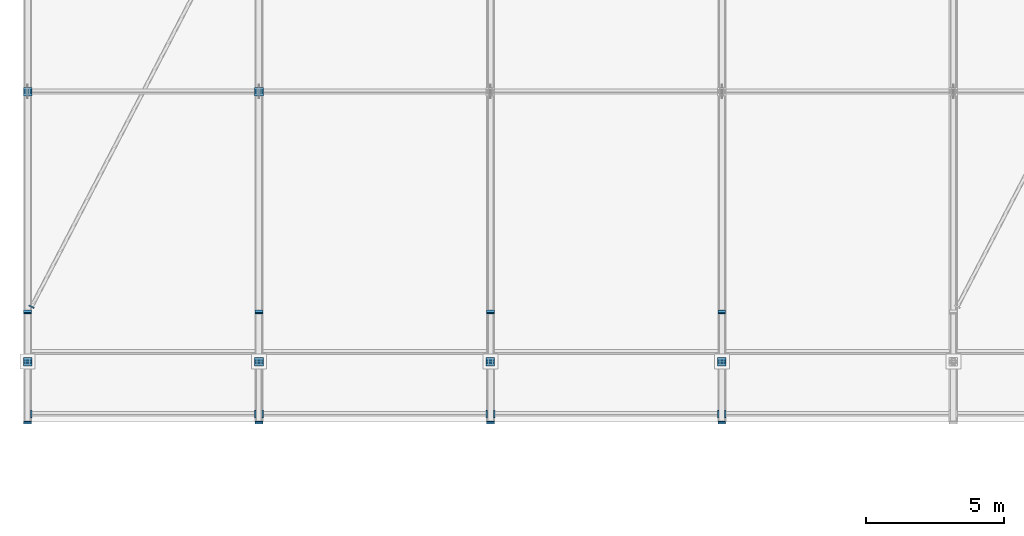
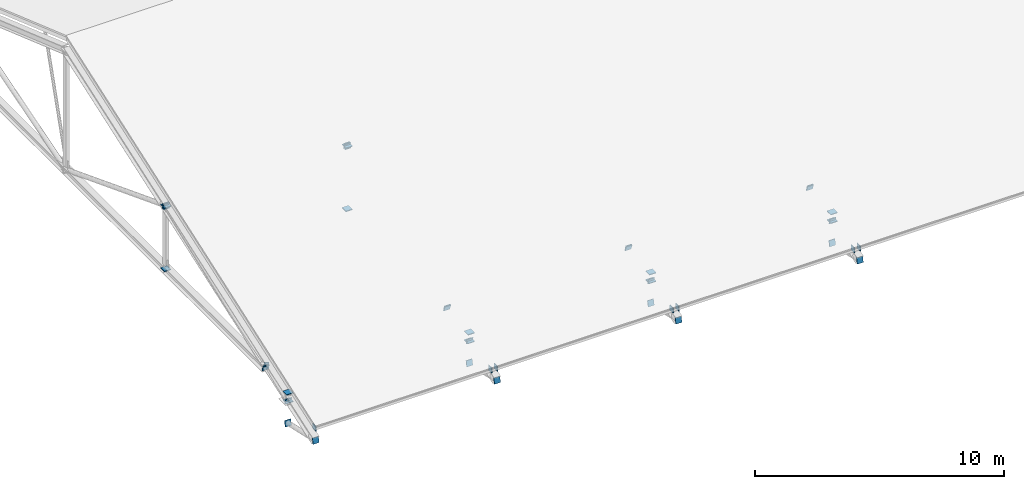
# One storey, part 41 of 57: 44 discrete accessories.
"""IFC4 building model written with IfcOpenShell, lengths in metres."""

from ifc_helpers import new_model, si_unit, direction, frame, origin, origin_2d, place, context, subcontext, project, spatial, rectangle, extrude, material, material_profile, profile_set, type_object, element, save


model = new_model("IFC4")

# Units and contexts
model_context = context("Model", 3, precision=1e-05, world=origin(), true_north=direction((0.0, 1.0)))
body_context = subcontext(model_context, "Body", "Model", "MODEL_VIEW")
ifc_project = project(units=[si_unit("LENGTHUNIT", "METRE"), si_unit("AREAUNIT", "SQUARE_METRE"), si_unit("VOLUMEUNIT", "CUBIC_METRE"), si_unit("PLANEANGLEUNIT", "RADIAN"), si_unit("MASSUNIT", "GRAM", prefix="KILO")], contexts=[model_context])

# Site, building, storey
site_placement = place(None, origin())
site = spatial("IfcSite", under=ifc_project, at=site_placement, CompositionType="ELEMENT")
building_placement = place(site_placement, origin())
building = spatial("IfcBuilding", under=site, at=building_placement, Name="Kelarvand Opera House", CompositionType="ELEMENT")
storey_placement = place(building_placement, frame((0.0, 0.0, 33.60009765625)))
storey = spatial("IfcBuildingStorey", under=building, at=storey_placement, Name="Roof", CompositionType="ELEMENT", Elevation=33.60009765625)

# Discrete accessories
ifc_material = material(Name="Steel S355", Category="steel")
ifc_material_profile_1 = material_profile(ifc_material, rectangle(XDim=0.199951171875, YDim=0.199951171875, at=origin_2d()), Name="Welded Steel Hollow End-Cap Plate 200x200x24", Category="steel")
ifc_profile_set_1 = profile_set([ifc_material_profile_1], Name="Steel S355")
discrete_accessory_type_1 = type_object("IfcDiscreteAccessoryType", Name="Welded Steel Hollow End-Cap Plate 200x200x24", PredefinedType="SHOE", material=ifc_profile_set_1)
discrete_accessory_1_placement = place(storey_placement, frame((9.15380859375, 89.20703125, -13.580078125), z_axis=(-0.4634975267, -0.886098212809, 0.0), x_axis=(0.886098212809, -0.4634975267, 0.0)))
element("IfcDiscreteAccessory", 1, at=discrete_accessory_1_placement, inside=storey, type_object=discrete_accessory_type_1, Name="Hollow Section Welded End Cap 687", PredefinedType="SHOE", context=body_context, shape_type="SweptSolid", body=[
    extrude(rectangle(XDim=0.199951171875, YDim=0.199951171875, at=origin_2d()), origin(), (0.0, 0.0, 1.0), 0.035888671875),
])
ifc_material_profile_2 = material_profile(ifc_material, rectangle(XDim=0.260009765625, YDim=0.260009765625, at=origin_2d()), Name="Welded Steel Hollow End-Cap Plate 260x260x24", Category="steel")
ifc_profile_set_2 = profile_set([ifc_material_profile_2], Name="Steel S355")
discrete_accessory_type_2 = type_object("IfcDiscreteAccessoryType", Name="Welded Steel Hollow End-Cap Plate 260x260x24", PredefinedType="SHOE", material=ifc_profile_set_2)
discrete_accessory_2_placement = place(storey_placement, frame((9.14794921875, 85.300048828125, -14.2998046875), z_axis=(-1.0, 0.0, 0.0), x_axis=(0.0, -1.0, 0.0)))
element("IfcDiscreteAccessory", 2, at=discrete_accessory_2_placement, inside=storey, type_object=discrete_accessory_type_2, Name="Hollow Section Welded End Cap 685", PredefinedType="SHOE", context=body_context, shape_type="SweptSolid", body=[
    extrude(rectangle(XDim=0.260009765625, YDim=0.260009765625, at=origin_2d()), origin(), (0.0, 0.0, 1.0), 0.035888671875),
])
for number, where, z_axis, x_axis, name in (
    (3, (17.251953125, 85.300048828125, -14.2998046875), (1.0, 0.0, 0.0), (0.0, 1.0, 0.0), "Hollow Section Welded End Cap 686"),
    (4, (17.548095703125, 85.300048828125, -14.2998046875), (-1.0, 0.0, 0.0), (0.0, -1.0, 0.0), "Hollow Section Welded End Cap 691"),
):
    element("IfcDiscreteAccessory", number, at=place(storey_placement, frame(where, z_axis=z_axis, x_axis=x_axis)), inside=storey, type_object=discrete_accessory_type_2, Name=name, PredefinedType="SHOE", context=body_context, shape_type="SweptSolid", body=[
        extrude(rectangle(XDim=0.260009765625, YDim=0.260009765625, at=origin_2d()), origin(), (0.0, 0.0, 1.0), 0.0361328125),
    ])
for number, where, z_axis, x_axis, name in (
    (5, (25.652099609375, 85.300048828125, -14.2998046875), (1.0, 0.0, 0.0), (0.0, 1.0, 0.0), "Hollow Section Welded End Cap 692"),
    (6, (25.947998046875, 85.300048828125, -14.2998046875), (-1.0, 0.0, 0.0), (0.0, -1.0, 0.0), "Hollow Section Welded End Cap 693"),
    (7, (34.052001953125, 85.300048828125, -14.2998046875), (1.0, 0.0, 0.0), (0.0, 1.0, 0.0), "Hollow Section Welded End Cap 694"),
    (8, (34.347900390625, 85.300048828125, -14.2998046875), (-1.0, 0.0, 0.0), (0.0, -1.0, 0.0), "Hollow Section Welded End Cap 695"),
):
    element("IfcDiscreteAccessory", number, at=place(storey_placement, frame(where, z_axis=z_axis, x_axis=x_axis)), inside=storey, type_object=discrete_accessory_type_2, Name=name, PredefinedType="SHOE", context=body_context, shape_type="SweptSolid", body=[
        extrude(rectangle(XDim=0.260009765625, YDim=0.260009765625, at=origin_2d()), origin(), (0.0, 0.0, 1.0), 0.035888671875),
    ])
ifc_material_profile_3 = material_profile(ifc_material, rectangle(XDim=0.279052734375, YDim=0.279052734375, at=origin_2d()), Name="Welded Steel Hollow End-Cap Plate 279x279x24", Category="steel")
ifc_profile_set_3 = profile_set([ifc_material_profile_3], Name="Steel S355")
discrete_accessory_type_3 = type_object("IfcDiscreteAccessoryType", Name="Welded Steel Hollow End-Cap Plate 279x279x24", PredefinedType="SHOE", material=ifc_profile_set_3)
for number, where, z_axis, x_axis, name in (
    (9, (9.0, 87.192138671875, -15.1982421875), (0.0, 0.974732318528, -0.223376156329), (-1.0, 0.0, 0.0), "Hollow Section Welded End Cap 541"),
    (10, (9.0, 85.0078125, -14.70458984375), (0.0, -0.976187060184, 0.216930457819), (1.0, 0.0, 0.0), "Hollow Section Welded End Cap 542"),
    (11, (9.0, 87.207763671875, -14.097900390625), (0.0, -0.960754262325, -0.277400878559), (1.0, 0.0, 0.0), "Hollow Section Welded End Cap 543"),
    (12, (9.0, 88.9921875, -13.582275390625), (0.0, 0.960754262325, 0.277400878559), (-1.0, 0.0, 0.0), "Hollow Section Welded End Cap 544"),
    (13, (9.0, 89.007568359375, -13.5771484375), (0.0, -0.933519842428, -0.358525736585), (1.0, 0.0, 0.0), "Hollow Section Welded End Cap 551"),
    (14, (9.0, 96.992431640625, -10.505859375), (0.0, 0.931242779706, 0.364399348581), (-1.0, 0.0, 0.0), "Hollow Section Welded End Cap 552"),
    (15, (9.0, 97.007568359375, -10.505859375), (0.0, -0.931242779706, 0.364399348581), (1.0, 0.0, 0.0), "Hollow Section Welded End Cap 553"),
    (16, (17.39990234375, 87.192138671875, -15.1982421875), (0.0, 0.974732318528, -0.223376156329), (-1.0, 0.0, 0.0), "Hollow Section Welded End Cap 565"),
    (17, (17.39990234375, 85.0078125, -14.70458984375), (0.0, -0.976187060184, 0.216930457819), (1.0, 0.0, 0.0), "Hollow Section Welded End Cap 566"),
    (18, (17.39990234375, 87.207763671875, -14.097900390625), (0.0, -0.960754262325, -0.277400878559), (1.0, 0.0, 0.0), "Hollow Section Welded End Cap 567"),
    (19, (17.39990234375, 88.9921875, -13.582275390625), (0.0, 0.960754262325, 0.277400878559), (-1.0, 0.0, 0.0), "Hollow Section Welded End Cap 568"),
    (20, (17.39990234375, 89.007568359375, -13.5771484375), (0.0, -0.933519842428, -0.358525736585), (1.0, 0.0, 0.0), "Hollow Section Welded End Cap 575"),
    (21, (17.39990234375, 96.992431640625, -10.505859375), (0.0, 0.931242779706, 0.364399348581), (-1.0, 0.0, 0.0), "Hollow Section Welded End Cap 576"),
    (22, (17.39990234375, 97.007568359375, -10.505859375), (0.0, -0.931242779706, 0.364399348581), (1.0, 0.0, 0.0), "Hollow Section Welded End Cap 577"),
    (23, (25.800048828125, 87.192138671875, -15.1982421875), (0.0, 0.974732318528, -0.223376156329), (-1.0, 0.0, 0.0), "Hollow Section Welded End Cap 589"),
    (24, (25.800048828125, 85.0078125, -14.70458984375), (0.0, -0.976187060184, 0.216930457819), (1.0, 0.0, 0.0), "Hollow Section Welded End Cap 590"),
    (25, (25.800048828125, 87.207763671875, -14.097900390625), (0.0, -0.960754262325, -0.277400878559), (1.0, 0.0, 0.0), "Hollow Section Welded End Cap 591"),
    (26, (25.800048828125, 88.9921875, -13.582275390625), (0.0, 0.960754262325, 0.277400878559), (-1.0, 0.0, 0.0), "Hollow Section Welded End Cap 592"),
    (27, (25.800048828125, 89.007568359375, -13.5771484375), (0.0, -0.933519842428, -0.358525736585), (1.0, 0.0, 0.0), "Hollow Section Welded End Cap 599"),
    (28, (34.199951171875, 87.192138671875, -15.1982421875), (0.0, 0.974732318528, -0.223376156329), (-1.0, 0.0, 0.0), "Hollow Section Welded End Cap 613"),
    (29, (34.199951171875, 85.0078125, -14.70458984375), (0.0, -0.976187060184, 0.216930457819), (1.0, 0.0, 0.0), "Hollow Section Welded End Cap 614"),
    (30, (34.199951171875, 87.207763671875, -14.097900390625), (0.0, -0.960754262325, -0.277400878559), (1.0, 0.0, 0.0), "Hollow Section Welded End Cap 615"),
    (31, (34.199951171875, 88.9921875, -13.582275390625), (0.0, 0.960754262325, 0.277400878559), (-1.0, 0.0, 0.0), "Hollow Section Welded End Cap 616"),
    (32, (34.199951171875, 89.007568359375, -13.5771484375), (0.0, -0.933519842428, -0.358525736585), (1.0, 0.0, 0.0), "Hollow Section Welded End Cap 623"),
):
    element("IfcDiscreteAccessory", number, at=place(storey_placement, frame(where, z_axis=z_axis, x_axis=x_axis)), inside=storey, type_object=discrete_accessory_type_3, Name=name, PredefinedType="SHOE", context=body_context, shape_type="SweptSolid", body=[
        extrude(rectangle(XDim=0.279052734375, YDim=0.279052734375, at=origin_2d()), origin(), (0.0, 0.0, 1.0), 0.0361328125),
    ])
ifc_material_profile_4 = material_profile(ifc_material, rectangle(XDim=0.31005859375, YDim=0.31005859375, at=origin_2d()), Name="Welded Steel Hollow End-Cap Plate 310x310x24", Category="steel")
ifc_profile_set_4 = profile_set([ifc_material_profile_4], Name="Steel S355")
discrete_accessory_type_4 = type_object("IfcDiscreteAccessoryType", Name="Welded Steel Hollow End-Cap Plate 310x310x24", PredefinedType="SHOE", material=ifc_profile_set_4)
discrete_accessory_3_placement = place(storey_placement, frame((9.0, 87.199951171875, -14.092041015625), z_axis=(0.0, 0.0, -1.0), x_axis=(1.0, 0.0, 0.0)))
element("IfcDiscreteAccessory", 33, at=discrete_accessory_3_placement, inside=storey, type_object=discrete_accessory_type_4, Name="Hollow Section Welded End Cap 545", PredefinedType="SHOE", context=body_context, shape_type="SweptSolid", body=[
    extrude(rectangle(XDim=0.31005859375, YDim=0.31005859375, at=origin_2d()), origin(), (0.0, 0.0, 1.0), 0.0361328125),
])
discrete_accessory_4_placement = place(storey_placement, frame((9.0, 87.199951171875, -13.7080078125), z_axis=(0.0, 0.0, 1.0), x_axis=(1.0, 0.0, 0.0)))
element("IfcDiscreteAccessory", 34, at=discrete_accessory_4_placement, inside=storey, type_object=discrete_accessory_type_4, Name="Hollow Section Welded End Cap 546", PredefinedType="SHOE", context=body_context, shape_type="SweptSolid", body=[
    extrude(rectangle(XDim=0.31005859375, YDim=0.31005859375, at=origin_2d()), origin(), (0.0, 0.0, 1.0), 0.035888671875),
])
for number, where, z_axis, x_axis, name in (
    (35, (9.0, 97.0, -13.572021484375), (0.0, 0.0, -1.0), (1.0, 0.0, 0.0), "Hollow Section Welded End Cap 559"),
    (36, (9.0, 97.0, -10.510986328125), (0.0, 0.0, 1.0), (1.0, 0.0, 0.0), "Hollow Section Welded End Cap 560"),
    (37, (17.39990234375, 87.199951171875, -14.092041015625), (0.0, 0.0, -1.0), (1.0, 0.0, 0.0), "Hollow Section Welded End Cap 569"),
):
    element("IfcDiscreteAccessory", number, at=place(storey_placement, frame(where, z_axis=z_axis, x_axis=x_axis)), inside=storey, type_object=discrete_accessory_type_4, Name=name, PredefinedType="SHOE", context=body_context, shape_type="SweptSolid", body=[
        extrude(rectangle(XDim=0.31005859375, YDim=0.31005859375, at=origin_2d()), origin(), (0.0, 0.0, 1.0), 0.0361328125),
    ])
discrete_accessory_5_placement = place(storey_placement, frame((17.39990234375, 87.199951171875, -13.7080078125), z_axis=(0.0, 0.0, 1.0), x_axis=(1.0, 0.0, 0.0)))
element("IfcDiscreteAccessory", 38, at=discrete_accessory_5_placement, inside=storey, type_object=discrete_accessory_type_4, Name="Hollow Section Welded End Cap 570", PredefinedType="SHOE", context=body_context, shape_type="SweptSolid", body=[
    extrude(rectangle(XDim=0.31005859375, YDim=0.31005859375, at=origin_2d()), origin(), (0.0, 0.0, 1.0), 0.035888671875),
])
for number, where, z_axis, x_axis, name in (
    (39, (17.39990234375, 97.0, -13.572021484375), (0.0, 0.0, -1.0), (1.0, 0.0, 0.0), "Hollow Section Welded End Cap 583"),
    (40, (17.39990234375, 97.0, -10.510986328125), (0.0, 0.0, 1.0), (1.0, 0.0, 0.0), "Hollow Section Welded End Cap 584"),
    (41, (25.800048828125, 87.199951171875, -14.092041015625), (0.0, 0.0, -1.0), (1.0, 0.0, 0.0), "Hollow Section Welded End Cap 593"),
):
    element("IfcDiscreteAccessory", number, at=place(storey_placement, frame(where, z_axis=z_axis, x_axis=x_axis)), inside=storey, type_object=discrete_accessory_type_4, Name=name, PredefinedType="SHOE", context=body_context, shape_type="SweptSolid", body=[
        extrude(rectangle(XDim=0.31005859375, YDim=0.31005859375, at=origin_2d()), origin(), (0.0, 0.0, 1.0), 0.0361328125),
    ])
discrete_accessory_6_placement = place(storey_placement, frame((25.800048828125, 87.199951171875, -13.7080078125), z_axis=(0.0, 0.0, 1.0), x_axis=(1.0, 0.0, 0.0)))
element("IfcDiscreteAccessory", 42, at=discrete_accessory_6_placement, inside=storey, type_object=discrete_accessory_type_4, Name="Hollow Section Welded End Cap 594", PredefinedType="SHOE", context=body_context, shape_type="SweptSolid", body=[
    extrude(rectangle(XDim=0.31005859375, YDim=0.31005859375, at=origin_2d()), origin(), (0.0, 0.0, 1.0), 0.035888671875),
])
discrete_accessory_7_placement = place(storey_placement, frame((34.199951171875, 87.199951171875, -14.092041015625), z_axis=(0.0, 0.0, -1.0), x_axis=(1.0, 0.0, 0.0)))
element("IfcDiscreteAccessory", 43, at=discrete_accessory_7_placement, inside=storey, type_object=discrete_accessory_type_4, Name="Hollow Section Welded End Cap 617", PredefinedType="SHOE", context=body_context, shape_type="SweptSolid", body=[
    extrude(rectangle(XDim=0.31005859375, YDim=0.31005859375, at=origin_2d()), origin(), (0.0, 0.0, 1.0), 0.0361328125),
])
discrete_accessory_8_placement = place(storey_placement, frame((34.199951171875, 87.199951171875, -13.7080078125), z_axis=(0.0, 0.0, 1.0), x_axis=(1.0, 0.0, 0.0)))
element("IfcDiscreteAccessory", 44, at=discrete_accessory_8_placement, inside=storey, type_object=discrete_accessory_type_4, Name="Hollow Section Welded End Cap 618", PredefinedType="SHOE", context=body_context, shape_type="SweptSolid", body=[
    extrude(rectangle(XDim=0.31005859375, YDim=0.31005859375, at=origin_2d()), origin(), (0.0, 0.0, 1.0), 0.035888671875),
])

save(model, "model.ifc")
